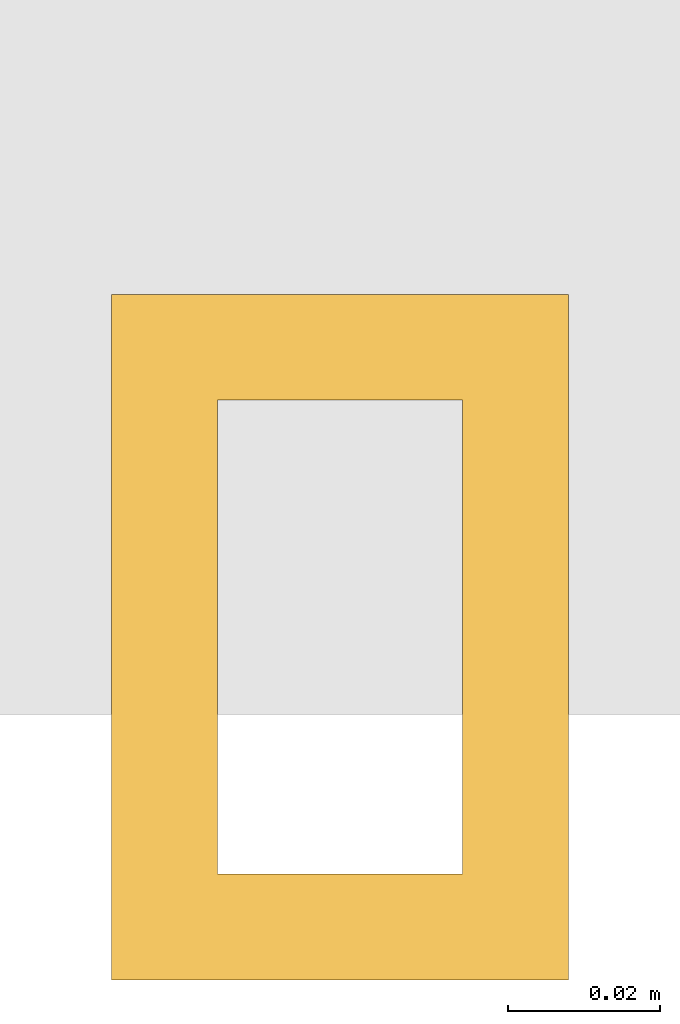
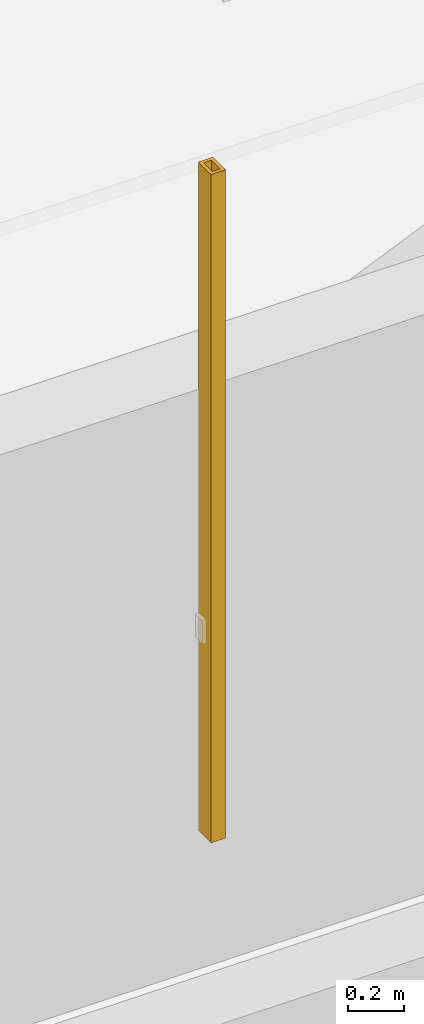
# One storey, part 33 of 40: 1 shading device.
"""IFC4 building model written with IfcOpenShell, lengths in metres."""

from ifc_helpers import new_model, si_unit, direction, frame, origin, origin_2d, place, context, subcontext, project, spatial, hollow_rectangle, extrude, material, material_profile, profile_set, type_object, element, save


model = new_model("IFC4")

# Units and contexts
model_context = context("Model", 3, precision=1e-05, world=origin(), true_north=direction((0.0, 1.0)))
body_context = subcontext(model_context, "Body", "Model", "MODEL_VIEW")
ifc_project = project(units=[si_unit("LENGTHUNIT", "METRE"), si_unit("AREAUNIT", "SQUARE_METRE"), si_unit("VOLUMEUNIT", "CUBIC_METRE"), si_unit("PLANEANGLEUNIT", "RADIAN"), si_unit("MASSUNIT", "GRAM", prefix="KILO")], contexts=[model_context])

# Site, building, storey
site_placement = place(None, origin())
site = spatial("IfcSite", under=ifc_project, at=site_placement, CompositionType="ELEMENT")
building_placement = place(site_placement, origin())
building = spatial("IfcBuilding", under=site, at=building_placement, Name="Punatoya Terracotta Tower", CompositionType="ELEMENT")
storey_placement = place(building_placement, frame((0.0, 0.0, 76.800048828125)))
storey = spatial("IfcBuildingStorey", under=building, at=storey_placement, Name="L17", CompositionType="ELEMENT", Elevation=76.800048828125)

# Shading device
ifc_material = material(Name="Architectural Fired Terracotta", Category="masonry")
ifc_material_profile = material_profile(ifc_material, hollow_rectangle(XDim=0.06005859375, YDim=0.090087890625, WallThickness=0.013916015625, at=origin_2d()))
ifc_profile_set = profile_set([ifc_material_profile], Name="Architectural Fired Terracotta")
shading_device_type = type_object("IfcShadingDeviceType", Name="SHD-JALI-90", PredefinedType="JALOUSIE", material=ifc_profile_set)
shading_device_placement = place(storey_placement, frame((0.0, -23.449951171875, 0.599853515625), z_axis=(0.0, 0.0, 1.0), x_axis=(1.0, 0.0, 0.0)))
element("IfcShadingDevice", 1, at=shading_device_placement, inside=storey, type_object=shading_device_type, Name="L17 Braced Bay Terracotta Jali Fin S1", PredefinedType="JALOUSIE", context=body_context, shape_type="SweptSolid", body=[
    extrude(hollow_rectangle(XDim=0.06005859375, YDim=0.090087890625, WallThickness=0.013916015625, at=origin_2d()), origin(), (0.0, 0.0, 1.0), 2.91015625),
])

save(model, "model.ifc")
